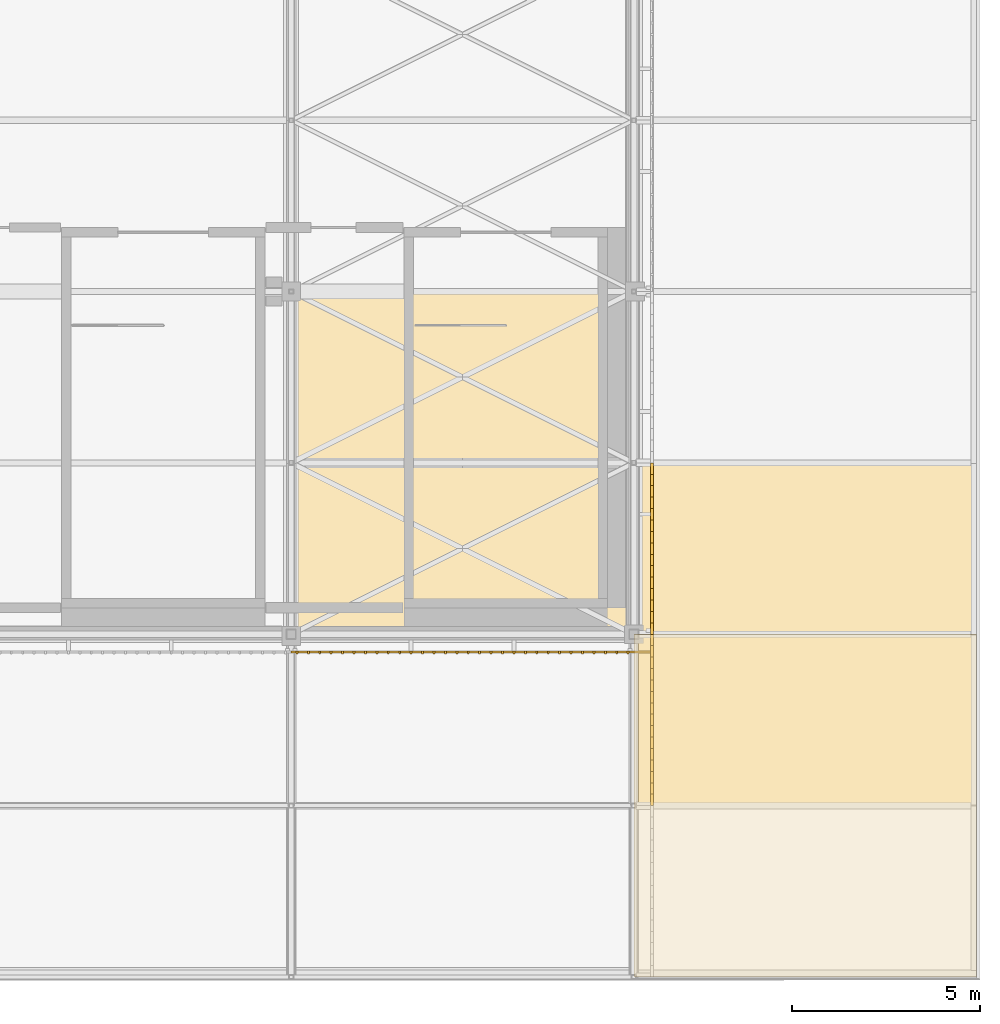
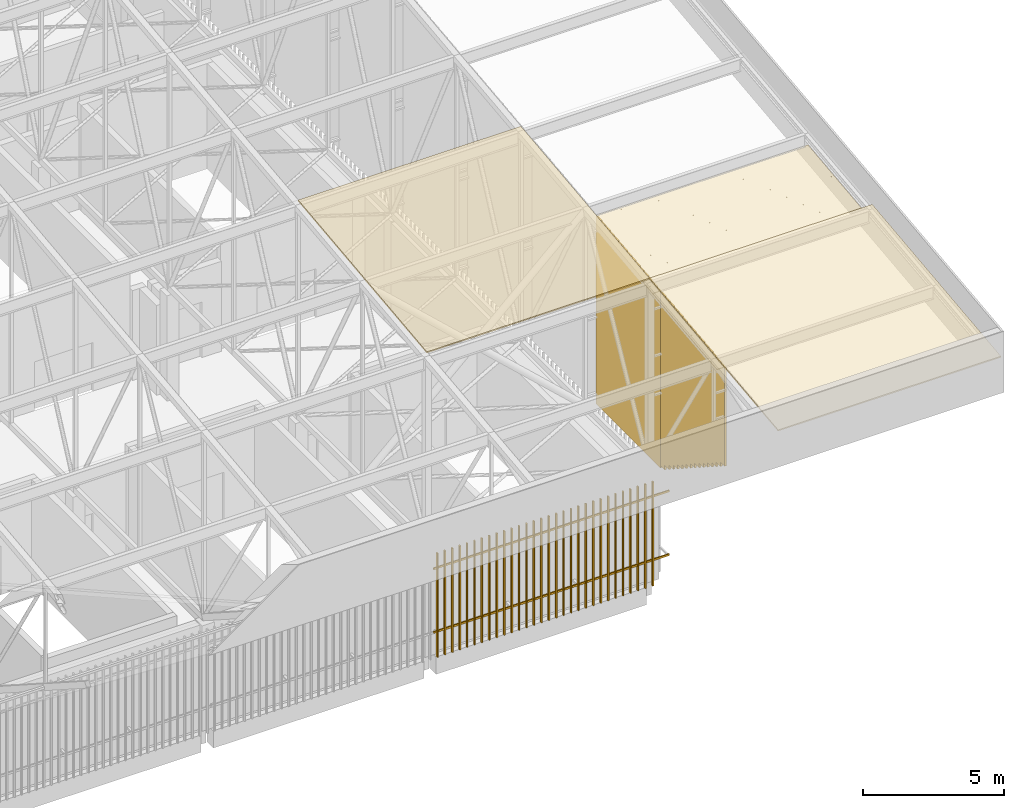
# One storey, part 486 of 500: 4 coverings, 3 shading devices.
"""IFC4 building model written with IfcOpenShell, lengths in metres."""

from ifc_helpers import new_model, si_unit, direction, frame, origin, origin_2d, place, context, subcontext, project, spatial, polyline, rectangle, outline, extrude, material, layer, layer_set, type_object, element, save


model = new_model("IFC4")

# Units and contexts
model_context = context("Model", 3, precision=1e-05, world=origin(), true_north=direction((0.0, 1.0)))
body_context = subcontext(model_context, "Body", "Model", "MODEL_VIEW")
ifc_project = project(units=[si_unit("LENGTHUNIT", "METRE"), si_unit("AREAUNIT", "SQUARE_METRE"), si_unit("VOLUMEUNIT", "CUBIC_METRE"), si_unit("PLANEANGLEUNIT", "RADIAN"), si_unit("MASSUNIT", "GRAM", prefix="KILO")], contexts=[model_context])

# Site, building, storey
site_placement = place(None, origin())
site = spatial("IfcSite", under=ifc_project, at=site_placement, CompositionType="ELEMENT")
building_placement = place(site_placement, origin())
building = spatial("IfcBuilding", under=site, at=building_placement, Name="Shirokan Park Arena", CompositionType="ELEMENT")
storey_placement = place(building_placement, frame((0.0, 0.0, 29.1201171875)))
storey = spatial("IfcBuildingStorey", under=building, at=storey_placement, Name="L06", CompositionType="ELEMENT", Elevation=29.1201171875)

# Coverings
ifc_material_1 = material(Name="Bituminous roofing membrane")
ifc_layer_1 = layer(ifc_material_1, 0.010009765625, Name="Bituminous roofing membrane")
ifc_material_2 = material(Name="Mineral wool insulation")
ifc_layer_2 = layer(ifc_material_2, 0.050048828125, Name="Mineral wool insulation")
ifc_layer_set_1 = layer_set([ifc_layer_1, ifc_layer_2], Name="Bituminous roofing membrane + Mineral wool insulation")
covering_type_1 = type_object("IfcCoveringType", Name="Roofing membrane 60", PredefinedType="ROOFING", material=ifc_layer_set_1)
covering_1_placement = place(storey_placement, frame((136.5, 0.0, 12.9306640625), z_axis=(0.0, -0.113549598152, 0.993532328996), x_axis=(1.0, 0.0, 0.0)))
element("IfcCovering", 1, at=covering_1_placement, inside=storey, type_object=covering_type_1, Name="Roofing", PredefinedType="ROOFING", context=body_context, shape_type="SweptSolid", body=[
    extrude(outline(polyline([(0.0, 0.0), (9.10009765625, 0.0), (9.10009765625, 9.15933723611117), (0.0, 9.15933723611117), (0.0, 0.0)])), origin(), (0.0, 0.0, -1.0), 0.06005859375),
])
covering_2_placement = place(storey_placement, frame((145.60009765625, -9.10009765625, 11.890625), z_axis=(0.0, -0.113549598152, 0.993532328996), x_axis=(1.0, 0.0, 0.0)))
element("IfcCovering", 2, at=covering_2_placement, inside=storey, type_object=covering_type_1, Name="Roofing", PredefinedType="ROOFING", context=body_context, shape_type="SweptSolid", body=[
    extrude(outline(polyline([(0.0, 0.0), (9.099853515625, 0.0), (9.099853515625, 9.15933723611117), (0.0, 9.15933723611117), (0.0, 0.0)])), origin(), (0.0, 0.0, -1.0), 0.06005859375),
])
ifc_material_3 = material(Name="Timber soffit boards (cedar)", Category="wood")
ifc_layer_3 = layer(ifc_material_3, 0.030029296875)
ifc_layer_set_2 = layer_set([ifc_layer_3], Name="Timber soffit boards (cedar) 30 mm")
covering_type_2 = type_object("IfcCoveringType", Name="Timber boarded soffit panel", PredefinedType="CLADDING", material=ifc_layer_set_2)
covering_3_placement = place(storey_placement, origin())
element("IfcCovering", 3, at=covering_3_placement, inside=storey, type_object=covering_type_2, Name="Rake soffit east bay 2", PredefinedType="CLADDING", context=body_context, shape_type="SweptSolid", body=[
    extrude(outline(polyline([(0.0, 0.0), (0.12000000000000455, 0.0), (0.12000000000000455, -4.57961788799022), (0.0, -4.57961788799022), (0.0, 0.0)])), frame((145.846923828125, -4.550048828125, 11.701904296875), z_axis=(0.0, -0.113546591161, 0.993532672656), x_axis=(-1.0, 0.0, 0.0)), (0.0, 0.0, -1.0), 0.030029296875),
    extrude(outline(polyline([(0.0, 0.0), (0.11999999999997613, 0.0), (0.11999999999997613, -4.579617887990219), (0.0, -4.579617887990219), (0.0, 0.0)])), frame((154.580078125, 0.0, 12.221923828125), z_axis=(0.0, -0.113546591161, 0.993532672656), x_axis=(1.0, 0.0, 0.0)), (0.0, 0.0, -1.0), 0.030029296875),
    extrude(outline(polyline([(0.0, 0.0), (0.12078064455863735, 0.0), (0.12078064455863735, -8.733000000000006), (0.0, -8.733000000000006), (0.0, 0.0)])), frame((154.580078125, 0.0, 12.221923828125), z_axis=(0.0, -0.11351156512, 0.993536675007), x_axis=(0.0, -0.993536675007, -0.11351156512)), (0.0, 0.0, -1.0), 0.030029296875),
    extrude(outline(polyline([(0.0, 0.0), (0.12078064455863746, 0.0), (0.12078064455863746, -8.733000000000004), (0.0, -8.733000000000004), (0.0, 0.0)])), frame((145.846923828125, -4.550048828125, 11.701904296875), z_axis=(0.0, -0.11351156512, 0.993536675007), x_axis=(0.0, 0.993536675007, 0.11351156512)), (0.0, 0.0, -1.0), 0.030029296875),
    extrude(outline(polyline([(0.0, 0.0), (8.733000000000004, 0.0), (8.733000000000004, -0.1845242816000106), (0.0, -0.1845242816000106), (0.0, 0.0)])), frame((154.580078125, -4.429931640625, 11.715576171875), z_axis=(0.0, -0.113589386818, 0.99352778079), x_axis=(-1.0, 0.0, 0.0)), (0.0, 0.0, -1.0), 0.030029296875),
    extrude(outline(polyline([(0.0, 0.0), (8.733000000000004, 0.0), (8.733000000000004, -0.3053137258624317), (0.0, -0.3053137258624317), (0.0, 0.0)])), frame((154.580078125, -4.24658203125, 11.736572265625), z_axis=(0.0, -0.113522573877, 0.993535417195), x_axis=(-1.0, 0.0, 0.0)), (0.0, 0.0, -1.0), 0.030029296875),
    extrude(outline(polyline([(0.0, 0.0), (8.733000000000004, 0.0), (8.733000000000004, -0.3053049259347117), (0.0, -0.3053049259347117), (0.0, 0.0)])), frame((154.580078125, -3.943359375, 11.771240234375), z_axis=(0.0, -0.113558600124, 0.99353130013), x_axis=(-1.0, 0.0, 0.0)), (0.0, 0.0, -1.0), 0.030029296875),
    extrude(outline(polyline([(0.0, 0.0), (8.733000000000004, 0.0), (8.733000000000004, -0.30530492593471215), (0.0, -0.30530492593471215), (0.0, 0.0)])), frame((154.580078125, -3.639892578125, 11.805908203125), z_axis=(0.0, -0.113558600124, 0.99353130013), x_axis=(-1.0, 0.0, 0.0)), (0.0, 0.0, -1.0), 0.030029296875),
    extrude(outline(polyline([(0.0, 0.0), (8.733000000000004, 0.0), (8.733000000000004, -0.3053137258624317), (0.0, -0.3053137258624317), (0.0, 0.0)])), frame((154.580078125, -3.336669921875, 11.840576171875), z_axis=(0.0, -0.113522573877, 0.993535417195), x_axis=(-1.0, 0.0, 0.0)), (0.0, 0.0, -1.0), 0.030029296875),
    extrude(outline(polyline([(0.0, 0.0), (8.733000000000004, 0.0), (8.733000000000004, -0.3053049259347117), (0.0, -0.3053049259347117), (0.0, 0.0)])), frame((154.580078125, -3.033447265625, 11.875244140625), z_axis=(0.0, -0.113558600124, 0.99353130013), x_axis=(-1.0, 0.0, 0.0)), (0.0, 0.0, -1.0), 0.030029296875),
    extrude(outline(polyline([(0.0, 0.0), (8.733000000000004, 0.0), (8.733000000000004, -0.3053049259347117), (0.0, -0.3053049259347117), (0.0, 0.0)])), frame((154.580078125, -2.72998046875, 11.909912109375), z_axis=(0.0, -0.113558600124, 0.99353130013), x_axis=(-1.0, 0.0, 0.0)), (0.0, 0.0, -1.0), 0.030029296875),
    extrude(outline(polyline([(0.0, 0.0), (8.733000000000004, 0.0), (8.733000000000004, -0.3053137258624317), (0.0, -0.3053137258624317), (0.0, 0.0)])), frame((154.580078125, -2.4267578125, 11.944580078125), z_axis=(0.0, -0.113522573877, 0.993535417195), x_axis=(-1.0, 0.0, 0.0)), (0.0, 0.0, -1.0), 0.030029296875),
    extrude(outline(polyline([(0.0, 0.0), (8.733000000000004, 0.0), (8.733000000000004, -0.3053049259347119), (0.0, -0.3053049259347119), (0.0, 0.0)])), frame((154.580078125, -2.123291015625, 11.979248046875), z_axis=(0.0, -0.113558600124, 0.99353130013), x_axis=(-1.0, 0.0, 0.0)), (0.0, 0.0, -1.0), 0.030029296875),
    extrude(outline(polyline([(0.0, 0.0), (8.733000000000004, 0.0), (8.733000000000004, -0.3053049259347119), (0.0, -0.3053049259347119), (0.0, 0.0)])), frame((154.580078125, -1.820068359375, 12.013916015625), z_axis=(0.0, -0.113558600124, 0.99353130013), x_axis=(-1.0, 0.0, 0.0)), (0.0, 0.0, -1.0), 0.030029296875),
    extrude(outline(polyline([(0.0, 0.0), (8.733000000000004, 0.0), (8.733000000000004, -0.3053137258624317), (0.0, -0.3053137258624317), (0.0, 0.0)])), frame((154.580078125, -1.5166015625, 12.048583984375), z_axis=(0.0, -0.113522573877, 0.993535417195), x_axis=(-1.0, 0.0, 0.0)), (0.0, 0.0, -1.0), 0.030029296875),
    extrude(outline(polyline([(0.0, 0.0), (8.733000000000004, 0.0), (8.733000000000004, -0.3053049259347118), (0.0, -0.3053049259347118), (0.0, 0.0)])), frame((154.580078125, -1.21337890625, 12.083251953125), z_axis=(0.0, -0.113558600124, 0.99353130013), x_axis=(-1.0, 0.0, 0.0)), (0.0, 0.0, -1.0), 0.030029296875),
    extrude(outline(polyline([(0.0, 0.0), (8.733000000000004, 0.0), (8.733000000000004, -0.3053049259347118), (0.0, -0.3053049259347118), (0.0, 0.0)])), frame((154.580078125, -0.909912109375, 12.117919921875), z_axis=(0.0, -0.113558600124, 0.99353130013), x_axis=(-1.0, 0.0, 0.0)), (0.0, 0.0, -1.0), 0.030029296875),
    extrude(outline(polyline([(0.0, 0.0), (8.733000000000004, 0.0), (8.733000000000004, -0.3053137258624319), (0.0, -0.3053137258624319), (0.0, 0.0)])), frame((154.580078125, -0.606689453125, 12.152587890625), z_axis=(0.0, -0.113522573877, 0.993535417195), x_axis=(-1.0, 0.0, 0.0)), (0.0, 0.0, -1.0), 0.030029296875),
    extrude(outline(polyline([(0.0, 0.0), (0.18452428160001086, 0.0), (0.18452428160001086, -8.733000000000004), (0.0, -8.733000000000004), (0.0, 0.0)])), frame((154.580078125, -0.1201171875, 12.208251953125), z_axis=(0.0, -0.113589386818, 0.99352778079), x_axis=(0.0, -0.99352778079, -0.113589386818)), (0.0, 0.0, -1.0), 0.030029296875),
])
covering_4_placement = place(storey_placement, origin())
element("IfcCovering", 4, at=covering_4_placement, inside=storey, type_object=covering_type_2, Name="Rake soffit east bay 3", PredefinedType="CLADDING", context=body_context, shape_type="SweptSolid", body=[
    extrude(outline(polyline([(0.0, 0.0), (0.12000000000000455, 0.0), (0.12000000000000455, -4.579617887990221), (0.0, -4.579617887990221), (0.0, 0.0)])), frame((145.846923828125, 0.0, 12.221923828125), z_axis=(0.0, -0.113546591161, 0.993532672656), x_axis=(-1.0, 0.0, 0.0)), (0.0, 0.0, -1.0), 0.030029296875),
    extrude(outline(polyline([(0.0, 0.0), (0.11999999999997613, 0.0), (0.11999999999997613, -4.57961788799022), (0.0, -4.57961788799022), (0.0, 0.0)])), frame((154.580078125, 4.550048828125, 12.741943359375), z_axis=(0.0, -0.113546591161, 0.993532672656), x_axis=(1.0, 0.0, 0.0)), (0.0, 0.0, -1.0), 0.030029296875),
    extrude(outline(polyline([(0.0, 0.0), (0.12078064455863827, 0.0), (0.12078064455863827, -8.733000000000002), (0.0, -8.733000000000002), (0.0, 0.0)])), frame((154.580078125, 4.550048828125, 12.741943359375), z_axis=(0.0, -0.11351156512, 0.993536675007), x_axis=(0.0, -0.993536675007, -0.11351156512)), (0.0, 0.0, -1.0), 0.030029296875),
    extrude(outline(polyline([(0.0, 0.0), (0.12078064455863816, 0.0), (0.12078064455863816, -8.733000000000004), (0.0, -8.733000000000004), (0.0, 0.0)])), frame((145.846923828125, 0.0, 12.221923828125), z_axis=(0.0, -0.11351156512, 0.993536675007), x_axis=(0.0, 0.993536675007, 0.11351156512)), (0.0, 0.0, -1.0), 0.030029296875),
    extrude(outline(polyline([(0.0, 0.0), (8.733000000000004, 0.0), (8.733000000000004, -0.18452428160001003), (0.0, -0.18452428160001003), (0.0, 0.0)])), frame((154.580078125, 0.1201171875, 12.235595703125), z_axis=(0.0, -0.113589386818, 0.99352778079), x_axis=(-1.0, 0.0, 0.0)), (0.0, 0.0, -1.0), 0.030029296875),
    extrude(outline(polyline([(0.0, 0.0), (8.733000000000004, 0.0), (8.733000000000004, -0.3053137258624319), (0.0, -0.3053137258624319), (0.0, 0.0)])), frame((154.580078125, 0.30322265625, 12.256591796875), z_axis=(0.0, -0.113522573877, 0.993535417195), x_axis=(-1.0, 0.0, 0.0)), (0.0, 0.0, -1.0), 0.030029296875),
    extrude(outline(polyline([(0.0, 0.0), (8.733000000000004, 0.0), (8.733000000000004, -0.3053049259347118), (0.0, -0.3053049259347118), (0.0, 0.0)])), frame((154.580078125, 0.606689453125, 12.291259765625), z_axis=(0.0, -0.113558600124, 0.99353130013), x_axis=(-1.0, 0.0, 0.0)), (0.0, 0.0, -1.0), 0.030029296875),
    extrude(outline(polyline([(0.0, 0.0), (8.733000000000004, 0.0), (8.733000000000004, -0.30530492593471265), (0.0, -0.30530492593471265), (0.0, 0.0)])), frame((154.580078125, 0.909912109375, 12.325927734375), z_axis=(0.0, -0.113558600124, 0.99353130013), x_axis=(-1.0, 0.0, 0.0)), (0.0, 0.0, -1.0), 0.030029296875),
    extrude(outline(polyline([(0.0, 0.0), (8.733000000000004, 0.0), (8.733000000000004, -0.30531372586243094), (0.0, -0.30531372586243094), (0.0, 0.0)])), frame((154.580078125, 1.21337890625, 12.360595703125), z_axis=(0.0, -0.113522573877, 0.993535417195), x_axis=(-1.0, 0.0, 0.0)), (0.0, 0.0, -1.0), 0.030029296875),
    extrude(outline(polyline([(0.0, 0.0), (8.733000000000004, 0.0), (8.733000000000004, -0.3053049259347119), (0.0, -0.3053049259347119), (0.0, 0.0)])), frame((154.580078125, 1.5166015625, 12.395263671875), z_axis=(0.0, -0.113558600124, 0.99353130013), x_axis=(-1.0, 0.0, 0.0)), (0.0, 0.0, -1.0), 0.030029296875),
    extrude(outline(polyline([(0.0, 0.0), (8.733000000000004, 0.0), (8.733000000000004, -0.30530492593471276), (0.0, -0.30530492593471276), (0.0, 0.0)])), frame((154.580078125, 1.820068359375, 12.429931640625), z_axis=(0.0, -0.113558600124, 0.99353130013), x_axis=(-1.0, 0.0, 0.0)), (0.0, 0.0, -1.0), 0.030029296875),
    extrude(outline(polyline([(0.0, 0.0), (8.733000000000004, 0.0), (8.733000000000004, -0.30531372586243094), (0.0, -0.30531372586243094), (0.0, 0.0)])), frame((154.580078125, 2.123291015625, 12.464599609375), z_axis=(0.0, -0.113522573877, 0.993535417195), x_axis=(-1.0, 0.0, 0.0)), (0.0, 0.0, -1.0), 0.030029296875),
    extrude(outline(polyline([(0.0, 0.0), (8.733000000000004, 0.0), (8.733000000000004, -0.30530492593471253), (0.0, -0.30530492593471253), (0.0, 0.0)])), frame((154.580078125, 2.4267578125, 12.499267578125), z_axis=(0.0, -0.113558600124, 0.99353130013), x_axis=(-1.0, 0.0, 0.0)), (0.0, 0.0, -1.0), 0.030029296875),
    extrude(outline(polyline([(0.0, 0.0), (8.733000000000004, 0.0), (8.733000000000004, -0.3053049259347117), (0.0, -0.3053049259347117), (0.0, 0.0)])), frame((154.580078125, 2.72998046875, 12.533935546875), z_axis=(0.0, -0.113558600124, 0.99353130013), x_axis=(-1.0, 0.0, 0.0)), (0.0, 0.0, -1.0), 0.030029296875),
    extrude(outline(polyline([(0.0, 0.0), (8.733000000000004, 0.0), (8.733000000000004, -0.30531372586243094), (0.0, -0.30531372586243094), (0.0, 0.0)])), frame((154.580078125, 3.033447265625, 12.568603515625), z_axis=(0.0, -0.113522573877, 0.993535417195), x_axis=(-1.0, 0.0, 0.0)), (0.0, 0.0, -1.0), 0.030029296875),
    extrude(outline(polyline([(0.0, 0.0), (8.733000000000004, 0.0), (8.733000000000004, -0.305304925934713), (0.0, -0.305304925934713), (0.0, 0.0)])), frame((154.580078125, 3.336669921875, 12.603271484375), z_axis=(0.0, -0.113558600124, 0.99353130013), x_axis=(-1.0, 0.0, 0.0)), (0.0, 0.0, -1.0), 0.030029296875),
    extrude(outline(polyline([(0.0, 0.0), (8.733000000000004, 0.0), (8.733000000000004, -0.3053049259347117), (0.0, -0.3053049259347117), (0.0, 0.0)])), frame((154.580078125, 3.639892578125, 12.637939453125), z_axis=(0.0, -0.113558600124, 0.99353130013), x_axis=(-1.0, 0.0, 0.0)), (0.0, 0.0, -1.0), 0.030029296875),
    extrude(outline(polyline([(0.0, 0.0), (8.733000000000004, 0.0), (8.733000000000004, -0.3053137258624317), (0.0, -0.3053137258624317), (0.0, 0.0)])), frame((154.580078125, 3.943359375, 12.672607421875), z_axis=(0.0, -0.113522573877, 0.993535417195), x_axis=(-1.0, 0.0, 0.0)), (0.0, 0.0, -1.0), 0.030029296875),
    extrude(outline(polyline([(0.0, 0.0), (0.1845242816000098, 0.0), (0.1845242816000098, -8.733000000000004), (0.0, -8.733000000000004), (0.0, 0.0)])), frame((154.580078125, 4.429931640625, 12.728271484375), z_axis=(0.0, -0.113589386818, 0.99352778079), x_axis=(0.0, -0.99352778079, -0.113589386818)), (0.0, 0.0, -1.0), 0.030029296875),
])

# Shading devices
ifc_material_4 = material(Name="Timber louvre veil (cedar)", Category="wood")
shading_device_type_1 = type_object("IfcShadingDeviceType", Name="Timber louvre veil panel", PredefinedType="JALOUSIE", material=ifc_material_4)
shading_device_1_placement = place(storey_placement, origin())
element("IfcShadingDevice", 5, at=shading_device_1_placement, inside=storey, type_object=shading_device_type_1, Name="Timber louvre veil south bay 16 L06", PredefinedType="JALOUSIE", context=body_context, shape_type="SweptSolid", body=[
    extrude(rectangle(XDim=0.050048828125, YDim=0.080078125, at=origin_2d()), frame((136.651611328125, -0.485107421875, 0.0), z_axis=(0.0, 0.0, 1.0), x_axis=(1.0, 0.0, 0.0)), (0.0, 0.0, 1.0), 4.5),
    extrude(rectangle(XDim=0.050048828125, YDim=0.080078125, at=origin_2d()), frame((136.955078125, -0.485107421875, 0.0), z_axis=(0.0, 0.0, 1.0), x_axis=(1.0, 0.0, 0.0)), (0.0, 0.0, 1.0), 4.5),
    extrude(rectangle(XDim=0.050048828125, YDim=0.080078125, at=origin_2d()), frame((137.25830078125, -0.485107421875, 0.0), z_axis=(0.0, 0.0, 1.0), x_axis=(1.0, 0.0, 0.0)), (0.0, 0.0, 1.0), 4.5),
    extrude(rectangle(XDim=0.050048828125, YDim=0.080078125, at=origin_2d()), frame((137.561767578125, -0.485107421875, 0.0), z_axis=(0.0, 0.0, 1.0), x_axis=(1.0, 0.0, 0.0)), (0.0, 0.0, 1.0), 4.5),
    extrude(rectangle(XDim=0.050048828125, YDim=0.080078125, at=origin_2d()), frame((137.864990234375, -0.485107421875, 0.0), z_axis=(0.0, 0.0, 1.0), x_axis=(1.0, 0.0, 0.0)), (0.0, 0.0, 1.0), 4.5),
    extrude(rectangle(XDim=0.050048828125, YDim=0.080078125, at=origin_2d()), frame((138.168212890625, -0.485107421875, 0.0), z_axis=(0.0, 0.0, 1.0), x_axis=(1.0, 0.0, 0.0)), (0.0, 0.0, 1.0), 4.5),
    extrude(rectangle(XDim=0.050048828125, YDim=0.080078125, at=origin_2d()), frame((138.4716796875, -0.485107421875, 0.0), z_axis=(0.0, 0.0, 1.0), x_axis=(1.0, 0.0, 0.0)), (0.0, 0.0, 1.0), 4.5),
    extrude(rectangle(XDim=0.050048828125, YDim=0.080078125, at=origin_2d()), frame((138.77490234375, -0.485107421875, 0.0), z_axis=(0.0, 0.0, 1.0), x_axis=(1.0, 0.0, 0.0)), (0.0, 0.0, 1.0), 4.5),
    extrude(rectangle(XDim=0.050048828125, YDim=0.080078125, at=origin_2d()), frame((139.078369140625, -0.485107421875, 0.0), z_axis=(0.0, 0.0, 1.0), x_axis=(1.0, 0.0, 0.0)), (0.0, 0.0, 1.0), 4.5),
    extrude(rectangle(XDim=0.050048828125, YDim=0.080078125, at=origin_2d()), frame((139.381591796875, -0.485107421875, 0.0), z_axis=(0.0, 0.0, 1.0), x_axis=(1.0, 0.0, 0.0)), (0.0, 0.0, 1.0), 4.5),
    extrude(rectangle(XDim=0.050048828125, YDim=0.080078125, at=origin_2d()), frame((139.68505859375, -0.485107421875, 0.0), z_axis=(0.0, 0.0, 1.0), x_axis=(1.0, 0.0, 0.0)), (0.0, 0.0, 1.0), 4.5),
    extrude(rectangle(XDim=0.050048828125, YDim=0.080078125, at=origin_2d()), frame((139.98828125, -0.485107421875, 0.0), z_axis=(0.0, 0.0, 1.0), x_axis=(1.0, 0.0, 0.0)), (0.0, 0.0, 1.0), 4.5),
    extrude(rectangle(XDim=0.050048828125, YDim=0.080078125, at=origin_2d()), frame((140.291748046875, -0.485107421875, 0.0), z_axis=(0.0, 0.0, 1.0), x_axis=(1.0, 0.0, 0.0)), (0.0, 0.0, 1.0), 4.5),
    extrude(rectangle(XDim=0.050048828125, YDim=0.080078125, at=origin_2d()), frame((140.594970703125, -0.485107421875, 0.0), z_axis=(0.0, 0.0, 1.0), x_axis=(1.0, 0.0, 0.0)), (0.0, 0.0, 1.0), 4.5),
    extrude(rectangle(XDim=0.050048828125, YDim=0.080078125, at=origin_2d()), frame((140.8984375, -0.485107421875, 0.0), z_axis=(0.0, 0.0, 1.0), x_axis=(1.0, 0.0, 0.0)), (0.0, 0.0, 1.0), 4.5),
    extrude(rectangle(XDim=0.050048828125, YDim=0.080078125, at=origin_2d()), frame((141.20166015625, -0.485107421875, 0.0), z_axis=(0.0, 0.0, 1.0), x_axis=(1.0, 0.0, 0.0)), (0.0, 0.0, 1.0), 4.5),
    extrude(rectangle(XDim=0.050048828125, YDim=0.080078125, at=origin_2d()), frame((141.5048828125, -0.485107421875, 0.0), z_axis=(0.0, 0.0, 1.0), x_axis=(1.0, 0.0, 0.0)), (0.0, 0.0, 1.0), 4.5),
    extrude(rectangle(XDim=0.050048828125, YDim=0.080078125, at=origin_2d()), frame((141.808349609375, -0.485107421875, 0.0), z_axis=(0.0, 0.0, 1.0), x_axis=(1.0, 0.0, 0.0)), (0.0, 0.0, 1.0), 4.5),
    extrude(rectangle(XDim=0.050048828125, YDim=0.080078125, at=origin_2d()), frame((142.111572265625, -0.485107421875, 0.0), z_axis=(0.0, 0.0, 1.0), x_axis=(1.0, 0.0, 0.0)), (0.0, 0.0, 1.0), 4.5),
    extrude(rectangle(XDim=0.050048828125, YDim=0.080078125, at=origin_2d()), frame((142.4150390625, -0.485107421875, 0.0), z_axis=(0.0, 0.0, 1.0), x_axis=(1.0, 0.0, 0.0)), (0.0, 0.0, 1.0), 4.5),
    extrude(rectangle(XDim=0.050048828125, YDim=0.080078125, at=origin_2d()), frame((142.71826171875, -0.485107421875, 0.0), z_axis=(0.0, 0.0, 1.0), x_axis=(1.0, 0.0, 0.0)), (0.0, 0.0, 1.0), 4.5),
    extrude(rectangle(XDim=0.050048828125, YDim=0.080078125, at=origin_2d()), frame((143.021728515625, -0.485107421875, 0.0), z_axis=(0.0, 0.0, 1.0), x_axis=(1.0, 0.0, 0.0)), (0.0, 0.0, 1.0), 4.5),
    extrude(rectangle(XDim=0.050048828125, YDim=0.080078125, at=origin_2d()), frame((143.324951171875, -0.485107421875, 0.0), z_axis=(0.0, 0.0, 1.0), x_axis=(1.0, 0.0, 0.0)), (0.0, 0.0, 1.0), 4.5),
    extrude(rectangle(XDim=0.050048828125, YDim=0.080078125, at=origin_2d()), frame((143.62841796875, -0.485107421875, 0.0), z_axis=(0.0, 0.0, 1.0), x_axis=(1.0, 0.0, 0.0)), (0.0, 0.0, 1.0), 4.5),
    extrude(rectangle(XDim=0.050048828125, YDim=0.080078125, at=origin_2d()), frame((143.931640625, -0.485107421875, 0.0), z_axis=(0.0, 0.0, 1.0), x_axis=(1.0, 0.0, 0.0)), (0.0, 0.0, 1.0), 4.5),
    extrude(rectangle(XDim=0.050048828125, YDim=0.080078125, at=origin_2d()), frame((144.235107421875, -0.485107421875, 0.0), z_axis=(0.0, 0.0, 1.0), x_axis=(1.0, 0.0, 0.0)), (0.0, 0.0, 1.0), 4.5),
    extrude(rectangle(XDim=0.050048828125, YDim=0.080078125, at=origin_2d()), frame((144.538330078125, -0.485107421875, 0.0), z_axis=(0.0, 0.0, 1.0), x_axis=(1.0, 0.0, 0.0)), (0.0, 0.0, 1.0), 4.5),
    extrude(rectangle(XDim=0.050048828125, YDim=0.080078125, at=origin_2d()), frame((144.841552734375, -0.485107421875, 0.0), z_axis=(0.0, 0.0, 1.0), x_axis=(1.0, 0.0, 0.0)), (0.0, 0.0, 1.0), 4.5),
    extrude(rectangle(XDim=0.050048828125, YDim=0.080078125, at=origin_2d()), frame((145.14501953125, -0.485107421875, 0.0), z_axis=(0.0, 0.0, 1.0), x_axis=(1.0, 0.0, 0.0)), (0.0, 0.0, 1.0), 4.5),
    extrude(rectangle(XDim=0.050048828125, YDim=0.080078125, at=origin_2d()), frame((145.4482421875, -0.485107421875, 0.0), z_axis=(0.0, 0.0, 1.0), x_axis=(1.0, 0.0, 0.0)), (0.0, 0.0, 1.0), 4.5),
    extrude(rectangle(XDim=9.625, YDim=0.050048828125, at=origin_2d()), frame((141.3125, -0.469970703125, 1.059814453125), z_axis=(0.0, 0.0, 1.0), x_axis=(1.0, 0.0, 0.0)), (0.0, 0.0, 1.0), 0.080078125),
    extrude(rectangle(XDim=9.625, YDim=0.050048828125, at=origin_2d()), frame((141.3125, -0.469970703125, 3.809814453125), z_axis=(0.0, 0.0, 1.0), x_axis=(1.0, 0.0, 0.0)), (0.0, 0.0, 1.0), 0.080078125),
])
shading_device_type_2 = type_object("IfcShadingDeviceType", Name="Timber louvre veil panel, gable band, closed", PredefinedType="JALOUSIE", material=ifc_material_4)
shading_device_2_placement = place(storey_placement, origin())
element("IfcShadingDevice", 6, at=shading_device_2_placement, inside=storey, type_object=shading_device_type_2, Name="Timber louvre veil gable band east bay 2", PredefinedType="JALOUSIE", context=body_context, shape_type="SweptSolid", body=[
    extrude(outline(polyline([(-2.4267578125, 6.03955078125), (-2.123291015625, 6.03955078125), (-2.123291015625, 5.844482421875), (-1.820068359375, 5.844482421875), (-1.820068359375, 5.649169921875), (-1.5166015625, 5.649169921875), (-1.5166015625, 5.4541015625), (-1.21337890625, 5.4541015625), (-1.21337890625, 5.259033203125), (-0.909912109375, 5.259033203125), (-0.909912109375, 5.063720703125), (-0.606689453125, 5.063720703125), (-0.606689453125, 4.86865234375), (-0.30322265625, 4.86865234375), (-0.30322265625, 4.67333984375), (0.0, 4.67333984375), (0.0, 12.1572265625), (-0.30322265625, 12.1572265625), (-0.30322265625, 12.12255859375), (-0.606689453125, 12.12255859375), (-0.606689453125, 12.087890625), (-0.909912109375, 12.087890625), (-0.909912109375, 12.05322265625), (-1.21337890625, 12.05322265625), (-1.21337890625, 12.0185546875), (-1.5166015625, 12.0185546875), (-1.5166015625, 11.98388671875), (-1.820068359375, 11.98388671875), (-1.820068359375, 11.94921875), (-2.123291015625, 11.94921875), (-2.123291015625, 11.91455078125), (-2.4267578125, 11.91455078125), (-2.4267578125, 11.8798828125), (-2.72998046875, 11.8798828125), (-2.72998046875, 11.84521484375), (-3.033447265625, 11.84521484375), (-3.033447265625, 11.810546875), (-3.336669921875, 11.810546875), (-3.336669921875, 11.77587890625), (-3.639892578125, 11.77587890625), (-3.639892578125, 11.7412109375), (-3.943359375, 11.7412109375), (-3.943359375, 11.70654296875), (-4.24658203125, 11.70654296875), (-4.24658203125, 11.671875), (-4.550048828125, 11.671875), (-4.550048828125, 7.40576171875), (-4.24658203125, 7.40576171875), (-4.24658203125, 7.210693359375), (-3.943359375, 7.210693359375), (-3.943359375, 7.015380859375), (-3.639892578125, 7.015380859375), (-3.639892578125, 6.8203125), (-3.336669921875, 6.8203125), (-3.336669921875, 6.625), (-3.033447265625, 6.625), (-3.033447265625, 6.429931640625), (-2.72998046875, 6.429931640625), (-2.72998046875, 6.23486328125), (-2.4267578125, 6.23486328125), (-2.4267578125, 6.03955078125)])), frame((146.044921875, 0.0, 0.0), z_axis=(1.0, 0.0, 0.0), x_axis=(0.0, 1.0, 0.0)), (0.0, 0.0, 1.0), 0.080078125),
    extrude(rectangle(XDim=0.050048828125, YDim=4.550048828125, at=origin_2d()), frame((146.070068359375, -2.27490234375, 7.815673828125), z_axis=(0.0, 0.0, 1.0), x_axis=(1.0, 0.0, 0.0)), (0.0, 0.0, 1.0), 0.080078125),
    extrude(rectangle(XDim=0.050048828125, YDim=4.550048828125, at=origin_2d()), frame((146.070068359375, -2.27490234375, 9.498779296875), z_axis=(0.0, 0.0, 1.0), x_axis=(1.0, 0.0, 0.0)), (0.0, 0.0, 1.0), 0.080078125),
    extrude(rectangle(XDim=0.050048828125, YDim=4.550048828125, at=origin_2d()), frame((146.070068359375, -2.27490234375, 11.53173828125), z_axis=(0.0, 0.0, 1.0), x_axis=(1.0, 0.0, 0.0)), (0.0, 0.0, 1.0), 0.080078125),
])
shading_device_3_placement = place(storey_placement, origin())
element("IfcShadingDevice", 7, at=shading_device_3_placement, inside=storey, type_object=shading_device_type_2, Name="Timber louvre veil gable band east bay 3", PredefinedType="JALOUSIE", context=body_context, shape_type="SweptSolid", body=[
    extrude(outline(polyline([(0.30322265625, 12.19189453125), (0.0, 12.19189453125), (0.0, 4.575927734375), (4.550048828125, 4.575927734375), (4.550048828125, 12.67724609375), (4.24658203125, 12.67724609375), (4.24658203125, 12.642578125), (3.943359375, 12.642578125), (3.943359375, 12.60791015625), (3.639892578125, 12.60791015625), (3.639892578125, 12.5732421875), (3.336669921875, 12.5732421875), (3.336669921875, 12.53857421875), (3.033447265625, 12.53857421875), (3.033447265625, 12.50390625), (2.72998046875, 12.50390625), (2.72998046875, 12.46923828125), (2.4267578125, 12.46923828125), (2.4267578125, 12.4345703125), (2.123291015625, 12.4345703125), (2.123291015625, 12.39990234375), (1.820068359375, 12.39990234375), (1.820068359375, 12.365234375), (1.5166015625, 12.365234375), (1.5166015625, 12.33056640625), (1.21337890625, 12.33056640625), (1.21337890625, 12.2958984375), (0.909912109375, 12.2958984375), (0.909912109375, 12.26123046875), (0.606689453125, 12.26123046875), (0.606689453125, 12.2265625), (0.30322265625, 12.2265625), (0.30322265625, 12.19189453125)])), frame((146.044921875, 0.0, 0.0), z_axis=(1.0, 0.0, 0.0), x_axis=(0.0, 1.0, 0.0)), (0.0, 0.0, 1.0), 0.080078125),
    extrude(rectangle(XDim=0.050048828125, YDim=4.550048828125, at=origin_2d()), frame((146.070068359375, 2.27490234375, 4.98583984375), z_axis=(0.0, 0.0, 1.0), x_axis=(1.0, 0.0, 0.0)), (0.0, 0.0, 1.0), 0.080078125),
    extrude(rectangle(XDim=0.050048828125, YDim=4.550048828125, at=origin_2d()), frame((146.070068359375, 2.27490234375, 8.34375), z_axis=(0.0, 0.0, 1.0), x_axis=(1.0, 0.0, 0.0)), (0.0, 0.0, 1.0), 0.080078125),
    extrude(rectangle(XDim=0.050048828125, YDim=4.550048828125, at=origin_2d()), frame((146.070068359375, 2.27490234375, 12.0517578125), z_axis=(0.0, 0.0, 1.0), x_axis=(1.0, 0.0, 0.0)), (0.0, 0.0, 1.0), 0.080078125),
])

save(model, "model.ifc")
